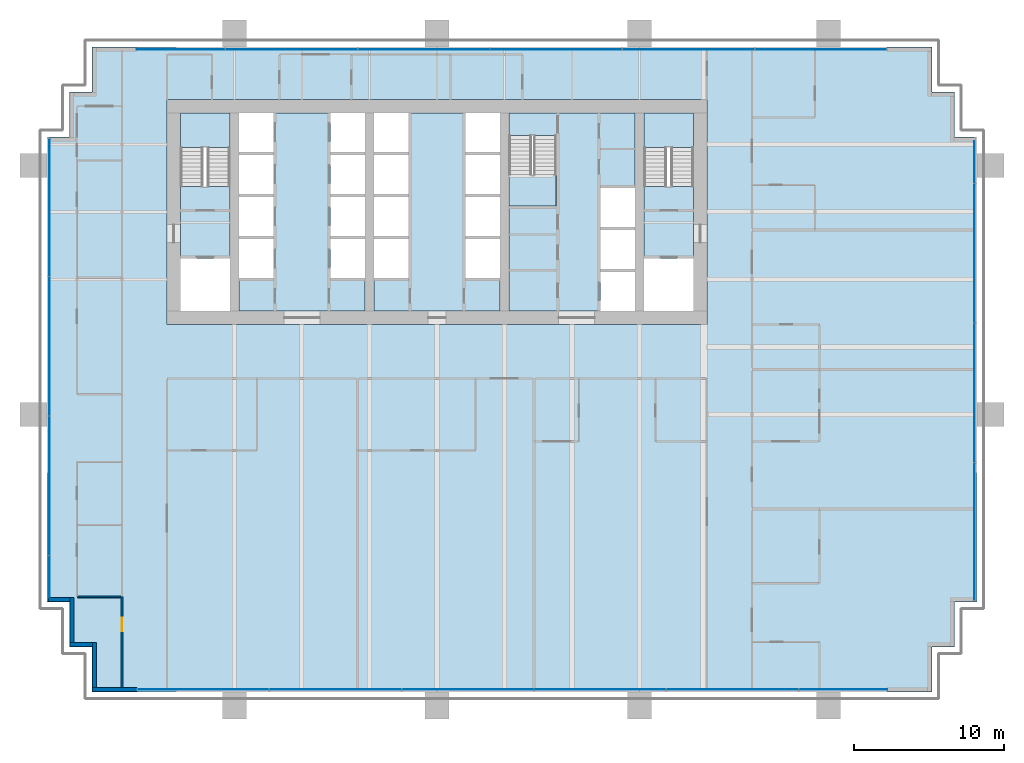
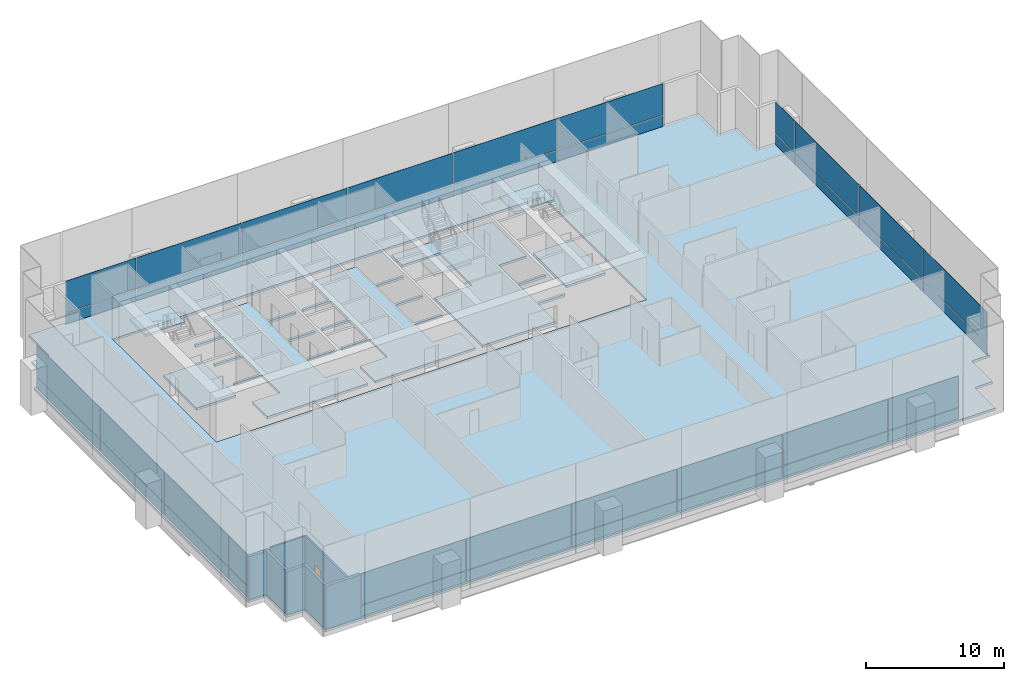
# One storey, part 11 of 19: 40 plates, 9 slabs, 7 walls, 1 door, 1 opening, 7 elements without a shape of their own.
"""IFC4 building model written with IfcOpenShell, lengths in metres."""

from ifc_helpers import new_model, si_unit, direction, frame, frame_2d, origin, origin_2d, place, context, subcontext, project, spatial, polyline, rectangle, outline, extrude, material, layer, layer_set, type_object, element, fill, aggregate, save


model = new_model("IFC4")

# Units and contexts
model_context = context("Model", 3, precision=1e-05, world=origin(), true_north=direction((0.0, 1.0)))
body_context = subcontext(model_context, "Body", "Model", "MODEL_VIEW")
ifc_project = project(units=[si_unit("LENGTHUNIT", "METRE"), si_unit("AREAUNIT", "SQUARE_METRE"), si_unit("VOLUMEUNIT", "CUBIC_METRE"), si_unit("PLANEANGLEUNIT", "RADIAN"), si_unit("MASSUNIT", "GRAM", prefix="KILO")], contexts=[model_context])

# Site, building, storey
site_placement = place(None, origin())
site = spatial("IfcSite", under=ifc_project, at=site_placement, CompositionType="ELEMENT")
building_placement = place(site_placement, origin())
building = spatial("IfcBuilding", under=site, at=building_placement, Name="Rattan Terrace Tower", CompositionType="ELEMENT")
storey_placement = place(building_placement, frame((0.0, 0.0, 103.699951171875)))
storey = spatial("IfcBuildingStorey", under=building, at=storey_placement, Name="L23", CompositionType="ELEMENT", Elevation=103.699951171875)

# Stair, slab
ifc_material_1 = material(Name="Concrete C40/50", Category="concrete")
stair_type = type_object("IfcStairType", Name="Core exit stair 1500", PredefinedType="HALF_TURN_STAIR", material=ifc_material_1)
stair_1_placement = place(storey_placement, origin())
stair_1 = element("IfcStair", 1, at=stair_1_placement, inside=storey, type_object=stair_type, Name="L23 exit stair 1", PredefinedType="HALF_TURN_STAIR")
ifc_material_2 = material(Name="Concrete C40/50", Category="concrete")
ifc_layer_1 = layer(ifc_material_2, 0.199951171875)
ifc_layer_set_1 = layer_set([ifc_layer_1], Name="Core exit stair landing")
slab_type_1 = type_object("IfcSlabType", Name="Core exit stair landing", PredefinedType="LANDING", material=ifc_layer_set_1)
slab_1_placement = place(storey_placement, frame((0.0, 0.0, 1.800048828125)))
slab_1 = element("IfcSlab", 2, at=slab_1_placement, type_object=slab_type_1, Name="S1 landing 1", PredefinedType="LANDING", context=body_context, shape_type="SweptSolid", body=[
    extrude(outline(polyline([(-13.800048828125, 4.300048828125), (-13.800048828125, 6.60009765625), (-17.10009765625, 6.60009765625), (-17.10009765625, 4.300048828125), (-13.800048828125, 4.300048828125)])), origin(), (0.0, 0.0, 1.0), 0.199951171875),
])
aggregate(stair_1, [slab_1])

stair_2_placement = place(storey_placement, origin())
stair_2 = element("IfcStair", 3, at=stair_2_placement, inside=storey, type_object=stair_type, Name="L23 exit stair 2", PredefinedType="HALF_TURN_STAIR")
slab_2_placement = place(storey_placement, frame((0.0, 0.0, 1.800048828125)))
slab_2 = element("IfcSlab", 4, at=slab_2_placement, type_object=slab_type_1, Name="S2 landing 1", PredefinedType="LANDING", context=body_context, shape_type="SweptSolid", body=[
    extrude(outline(polyline([(17.10009765625, 4.300048828125), (17.10009765625, 6.60009765625), (13.800048828125, 6.60009765625), (13.800048828125, 4.300048828125), (17.10009765625, 4.300048828125)])), origin(), (0.0, 0.0, 1.0), 0.199951171875),
])
aggregate(stair_2, [slab_2])

stair_3_placement = place(storey_placement, origin())
stair_3 = element("IfcStair", 5, at=stair_3_placement, inside=storey, type_object=stair_type, Name="L23 exit stair 3", PredefinedType="HALF_TURN_STAIR")
slab_3_placement = place(storey_placement, frame((0.0, 0.0, 1.800048828125)))
slab_3 = element("IfcSlab", 6, at=slab_3_placement, type_object=slab_type_1, Name="S3 landing 1", PredefinedType="LANDING", context=body_context, shape_type="SweptSolid", body=[
    extrude(outline(polyline([(4.800048828125, 2.5), (4.800048828125, 0.39990234375), (7.949951171875, 0.39990234375), (7.949951171875, 2.5), (4.800048828125, 2.5)])), origin(), (0.0, 0.0, 1.0), 0.199951171875),
])
aggregate(stair_3, [slab_3])

# Curtain wall, plates
ifc_material_3 = material(Name="Aluminium and glass", Category="aluminium")
curtain_wall_type = type_object("IfcCurtainWallType", Name="Facade Unitised Curtain Wall", PredefinedType="NOTDEFINED", material=ifc_material_3)
curtain_wall_1_placement = place(storey_placement, origin())
curtain_wall_1 = element("IfcCurtainWall", 7, at=curtain_wall_1_placement, inside=storey, type_object=curtain_wall_type, Name="Curtain wall L23-1", PredefinedType="NOTDEFINED")
ifc_material_4 = material(Name="Aluminium insulated spandrel panel", Category="aluminium")
ifc_layer_2 = layer(ifc_material_4, 0.028076171875)
ifc_layer_set_2 = layer_set([ifc_layer_2], Name="Facade CW Spandrel Panel")
plate_type_1 = type_object("IfcPlateType", Name="Facade CW Spandrel Panel", PredefinedType="CURTAIN_PANEL", material=ifc_layer_set_2)
plate_1_placement = place(storey_placement, frame((35.830078125, -21.3125, 0.0), z_axis=(0.0, 0.0, 1.0), x_axis=(0.0, 1.0, 0.0)))
plate_1 = element("IfcPlate", 8, at=plate_1_placement, type_object=plate_type_1, Name="Panel cwl-L23-001.1.1", PredefinedType="CURTAIN_PANEL", context=body_context, shape_type="SweptSolid", body=[
    extrude(rectangle(XDim=9.1650390625, YDim=0.028076171875, at=origin_2d()), origin(), (0.0, 0.0, 1.0), 0.969970703125),
])
plate_2_placement = place(storey_placement, frame((35.830078125, -12.050048828125, 0.0), z_axis=(0.0, 0.0, 1.0), x_axis=(0.0, 1.0, 0.0)))
plate_2 = element("IfcPlate", 9, at=plate_2_placement, type_object=plate_type_1, Name="Panel cwl-L23-001.2.1", PredefinedType="CURTAIN_PANEL", context=body_context, shape_type="SweptSolid", body=[
    extrude(rectangle(XDim=9.239990234375, YDim=0.028076171875, at=origin_2d()), origin(), (0.0, 0.0, 1.0), 0.969970703125),
])
plate_3_placement = place(storey_placement, frame((35.830078125, -2.75, 0.0), z_axis=(0.0, 0.0, 1.0), x_axis=(0.0, 1.0, 0.0)))
plate_3 = element("IfcPlate", 10, at=plate_3_placement, type_object=plate_type_1, Name="Panel cwl-L23-001.3.1", PredefinedType="CURTAIN_PANEL", context=body_context, shape_type="SweptSolid", body=[
    extrude(rectangle(XDim=9.239990234375, YDim=0.028076171875, at=origin_2d()), origin(), (0.0, 0.0, 1.0), 0.969970703125),
])
plate_4_placement = place(storey_placement, frame((35.830078125, 3.3173828125, 0.0), z_axis=(0.0, 0.0, 1.0), x_axis=(0.0, 1.0, 0.0)))
plate_4 = element("IfcPlate", 11, at=plate_4_placement, type_object=plate_type_1, Name="Panel cwl-L23-001.4.1", PredefinedType="CURTAIN_PANEL", context=body_context, shape_type="SweptSolid", body=[
    extrude(rectangle(XDim=2.77490234375, YDim=0.028076171875, at=origin_2d()), origin(), (0.0, 0.0, 1.0), 0.969970703125),
])

curtain_wall_2_placement = place(storey_placement, origin())
curtain_wall_2 = element("IfcCurtainWall", 12, at=curtain_wall_2_placement, inside=storey, type_object=curtain_wall_type, Name="Curtain wall L23-2", PredefinedType="NOTDEFINED")
plate_5_placement = place(storey_placement, frame((25.573486328125, 10.830078125, 0.0), z_axis=(0.0, 0.0, 1.0), x_axis=(-1.0, 0.0, 0.0)))
plate_5 = element("IfcPlate", 13, at=plate_5_placement, type_object=plate_type_1, Name="Panel cwl-L23-002.1.1", PredefinedType="CURTAIN_PANEL", context=body_context, shape_type="SweptSolid", body=[
    extrude(rectangle(XDim=8.73291015625, YDim=0.028076171875, at=origin_2d()), origin(), (0.0, 0.0, 1.0), 0.969970703125),
])
plate_6_placement = place(storey_placement, frame((16.765380859375, 10.830078125, 0.0), z_axis=(0.0, 0.0, 1.0), x_axis=(-1.0, 0.0, 0.0)))
plate_6 = element("IfcPlate", 14, at=plate_6_placement, type_object=plate_type_1, Name="Panel cwl-L23-002.2.1", PredefinedType="CURTAIN_PANEL", context=body_context, shape_type="SweptSolid", body=[
    extrude(rectangle(XDim=8.762939453125, YDim=0.028076171875, at=origin_2d()), origin(), (0.0, 0.0, 1.0), 0.969970703125),
])
plate_7_placement = place(storey_placement, frame((7.9423828125, 10.830078125, 0.0), z_axis=(0.0, 0.0, 1.0), x_axis=(-1.0, 0.0, 0.0)))
plate_7 = element("IfcPlate", 15, at=plate_7_placement, type_object=plate_type_1, Name="Panel cwl-L23-002.3.1", PredefinedType="CURTAIN_PANEL", context=body_context, shape_type="SweptSolid", body=[
    extrude(rectangle(XDim=8.762939453125, YDim=0.028076171875, at=origin_2d()), origin(), (0.0, 0.0, 1.0), 0.969970703125),
])
plate_8_placement = place(storey_placement, frame((-0.880615234375, 10.830078125, 0.0), z_axis=(0.0, 0.0, 1.0), x_axis=(-1.0, 0.0, 0.0)))
plate_8 = element("IfcPlate", 16, at=plate_8_placement, type_object=plate_type_1, Name="Panel cwl-L23-002.4.1", PredefinedType="CURTAIN_PANEL", context=body_context, shape_type="SweptSolid", body=[
    extrude(rectangle(XDim=8.762939453125, YDim=0.028076171875, at=origin_2d()), origin(), (0.0, 0.0, 1.0), 0.969970703125),
])
plate_9_placement = place(storey_placement, frame((-9.70361328125, 10.830078125, 0.0), z_axis=(0.0, 0.0, 1.0), x_axis=(-1.0, 0.0, 0.0)))
plate_9 = element("IfcPlate", 17, at=plate_9_placement, type_object=plate_type_1, Name="Panel cwl-L23-002.5.1", PredefinedType="CURTAIN_PANEL", context=body_context, shape_type="SweptSolid", body=[
    extrude(rectangle(XDim=8.762939453125, YDim=0.028076171875, at=origin_2d()), origin(), (0.0, 0.0, 1.0), 0.969970703125),
])
plate_10_placement = place(storey_placement, frame((-17.072509765625, 10.830078125, 0.0), z_axis=(0.0, 0.0, 1.0), x_axis=(-1.0, 0.0, 0.0)))
plate_10 = element("IfcPlate", 18, at=plate_10_placement, type_object=plate_type_1, Name="Panel cwl-L23-002.6.1", PredefinedType="CURTAIN_PANEL", context=body_context, shape_type="SweptSolid", body=[
    extrude(rectangle(XDim=5.85498046875, YDim=0.028076171875, at=origin_2d()), origin(), (0.0, 0.0, 1.0), 0.969970703125),
])

curtain_wall_3_placement = place(storey_placement, origin())
curtain_wall_3 = element("IfcCurtainWall", 19, at=curtain_wall_3_placement, inside=storey, type_object=curtain_wall_type, Name="Curtain wall L23-3", PredefinedType="NOTDEFINED")
plate_11_placement = place(storey_placement, frame((-25.830078125, 0.3125, 0.0), z_axis=(0.0, 0.0, 1.0), x_axis=(0.0, -1.0, 0.0)))
plate_11 = element("IfcPlate", 20, at=plate_11_placement, type_object=plate_type_1, Name="Panel cwl-L23-003.1.1", PredefinedType="CURTAIN_PANEL", context=body_context, shape_type="SweptSolid", body=[
    extrude(rectangle(XDim=9.1650390625, YDim=0.028076171875, at=origin_2d()), origin(), (0.0, 0.0, 1.0), 0.969970703125),
])
plate_12_placement = place(storey_placement, frame((-25.830078125, -8.949951171875, 0.0), z_axis=(0.0, 0.0, 1.0), x_axis=(0.0, -1.0, 0.0)))
plate_12 = element("IfcPlate", 21, at=plate_12_placement, type_object=plate_type_1, Name="Panel cwl-L23-003.2.1", PredefinedType="CURTAIN_PANEL", context=body_context, shape_type="SweptSolid", body=[
    extrude(rectangle(XDim=9.239990234375, YDim=0.028076171875, at=origin_2d()), origin(), (0.0, 0.0, 1.0), 0.969970703125),
])
plate_13_placement = place(storey_placement, frame((-25.830078125, -18.25, 0.0), z_axis=(0.0, 0.0, 1.0), x_axis=(0.0, -1.0, 0.0)))
plate_13 = element("IfcPlate", 22, at=plate_13_placement, type_object=plate_type_1, Name="Panel cwl-L23-003.3.1", PredefinedType="CURTAIN_PANEL", context=body_context, shape_type="SweptSolid", body=[
    extrude(rectangle(XDim=9.239990234375, YDim=0.028076171875, at=origin_2d()), origin(), (0.0, 0.0, 1.0), 0.969970703125),
])
plate_14_placement = place(storey_placement, frame((-25.830078125, -24.3173828125, 0.0), z_axis=(0.0, 0.0, 1.0), x_axis=(0.0, -1.0, 0.0)))
plate_14 = element("IfcPlate", 23, at=plate_14_placement, type_object=plate_type_1, Name="Panel cwl-L23-003.4.1", PredefinedType="CURTAIN_PANEL", context=body_context, shape_type="SweptSolid", body=[
    extrude(rectangle(XDim=2.77490234375, YDim=0.028076171875, at=origin_2d()), origin(), (0.0, 0.0, 1.0), 0.969970703125),
])

curtain_wall_4_placement = place(storey_placement, origin())
curtain_wall_4 = element("IfcCurtainWall", 24, at=curtain_wall_4_placement, inside=storey, type_object=curtain_wall_type, Name="Curtain wall L23-4", PredefinedType="NOTDEFINED")
plate_15_placement = place(storey_placement, frame((-15.573486328125, -31.830078125, 0.0), z_axis=(0.0, 0.0, 1.0), x_axis=(1.0, 0.0, 0.0)))
plate_15 = element("IfcPlate", 25, at=plate_15_placement, type_object=plate_type_1, Name="Panel cwl-L23-004.1.1", PredefinedType="CURTAIN_PANEL", context=body_context, shape_type="SweptSolid", body=[
    extrude(rectangle(XDim=8.73291015625, YDim=0.028076171875, at=origin_2d()), origin(), (0.0, 0.0, 1.0), 0.969970703125),
])
plate_16_placement = place(storey_placement, frame((-6.765380859375, -31.830078125, 0.0), z_axis=(0.0, 0.0, 1.0), x_axis=(1.0, 0.0, 0.0)))
plate_16 = element("IfcPlate", 26, at=plate_16_placement, type_object=plate_type_1, Name="Panel cwl-L23-004.2.1", PredefinedType="CURTAIN_PANEL", context=body_context, shape_type="SweptSolid", body=[
    extrude(rectangle(XDim=8.762939453125, YDim=0.028076171875, at=origin_2d()), origin(), (0.0, 0.0, 1.0), 0.969970703125),
])
plate_17_placement = place(storey_placement, frame((2.0576171875, -31.830078125, 0.0), z_axis=(0.0, 0.0, 1.0), x_axis=(1.0, 0.0, 0.0)))
plate_17 = element("IfcPlate", 27, at=plate_17_placement, type_object=plate_type_1, Name="Panel cwl-L23-004.3.1", PredefinedType="CURTAIN_PANEL", context=body_context, shape_type="SweptSolid", body=[
    extrude(rectangle(XDim=8.762939453125, YDim=0.028076171875, at=origin_2d()), origin(), (0.0, 0.0, 1.0), 0.969970703125),
])
plate_18_placement = place(storey_placement, frame((10.880615234375, -31.830078125, 0.0), z_axis=(0.0, 0.0, 1.0), x_axis=(1.0, 0.0, 0.0)))
plate_18 = element("IfcPlate", 28, at=plate_18_placement, type_object=plate_type_1, Name="Panel cwl-L23-004.4.1", PredefinedType="CURTAIN_PANEL", context=body_context, shape_type="SweptSolid", body=[
    extrude(rectangle(XDim=8.762939453125, YDim=0.028076171875, at=origin_2d()), origin(), (0.0, 0.0, 1.0), 0.969970703125),
])
plate_19_placement = place(storey_placement, frame((19.70361328125, -31.830078125, 0.0), z_axis=(0.0, 0.0, 1.0), x_axis=(1.0, 0.0, 0.0)))
plate_19 = element("IfcPlate", 29, at=plate_19_placement, type_object=plate_type_1, Name="Panel cwl-L23-004.5.1", PredefinedType="CURTAIN_PANEL", context=body_context, shape_type="SweptSolid", body=[
    extrude(rectangle(XDim=8.762939453125, YDim=0.028076171875, at=origin_2d()), origin(), (0.0, 0.0, 1.0), 0.969970703125),
])
plate_20_placement = place(storey_placement, frame((27.072509765625, -31.830078125, 0.0), z_axis=(0.0, 0.0, 1.0), x_axis=(1.0, 0.0, 0.0)))
plate_20 = element("IfcPlate", 30, at=plate_20_placement, type_object=plate_type_1, Name="Panel cwl-L23-004.6.1", PredefinedType="CURTAIN_PANEL", context=body_context, shape_type="SweptSolid", body=[
    extrude(rectangle(XDim=5.85498046875, YDim=0.028076171875, at=origin_2d()), origin(), (0.0, 0.0, 1.0), 0.969970703125),
])

# Plate
ifc_material_5 = material(Name="Clear low-iron glass", Category="glass")
ifc_layer_3 = layer(ifc_material_5, 0.028076171875)
ifc_layer_set_3 = layer_set([ifc_layer_3], Name="Facade CW Vision Panel")
plate_type_2 = type_object("IfcPlateType", Name="Facade CW Vision Panel", PredefinedType="CURTAIN_PANEL", material=ifc_layer_set_3)
plate_21_placement = place(storey_placement, frame((35.830078125, -21.3125, 1.030029296875), z_axis=(0.0, 0.0, 1.0), x_axis=(0.0, 1.0, 0.0)))
plate_21 = element("IfcPlate", 31, at=plate_21_placement, type_object=plate_type_2, Name="Panel cwl-L23-001.1.2", PredefinedType="CURTAIN_PANEL", context=body_context, shape_type="SweptSolid", body=[
    extrude(rectangle(XDim=9.1650390625, YDim=0.028076171875, at=origin_2d()), origin(), (0.0, 0.0, 1.0), 2.77001953125),
])

plate_22_placement = place(storey_placement, frame((35.830078125, -12.050048828125, 1.030029296875), z_axis=(0.0, 0.0, 1.0), x_axis=(0.0, 1.0, 0.0)))
plate_22 = element("IfcPlate", 32, at=plate_22_placement, type_object=plate_type_2, Name="Panel cwl-L23-001.2.2", PredefinedType="CURTAIN_PANEL", context=body_context, shape_type="SweptSolid", body=[
    extrude(rectangle(XDim=9.239990234375, YDim=0.028076171875, at=origin_2d()), origin(), (0.0, 0.0, 1.0), 2.77001953125),
])

plate_23_placement = place(storey_placement, frame((35.830078125, -2.75, 1.030029296875), z_axis=(0.0, 0.0, 1.0), x_axis=(0.0, 1.0, 0.0)))
plate_23 = element("IfcPlate", 33, at=plate_23_placement, type_object=plate_type_2, Name="Panel cwl-L23-001.3.2", PredefinedType="CURTAIN_PANEL", context=body_context, shape_type="SweptSolid", body=[
    extrude(rectangle(XDim=9.239990234375, YDim=0.028076171875, at=origin_2d()), origin(), (0.0, 0.0, 1.0), 2.77001953125),
])

plate_24_placement = place(storey_placement, frame((35.830078125, 3.3173828125, 1.030029296875), z_axis=(0.0, 0.0, 1.0), x_axis=(0.0, 1.0, 0.0)))
plate_24 = element("IfcPlate", 34, at=plate_24_placement, type_object=plate_type_2, Name="Panel cwl-L23-001.4.2", PredefinedType="CURTAIN_PANEL", context=body_context, shape_type="SweptSolid", body=[
    extrude(rectangle(XDim=2.77490234375, YDim=0.028076171875, at=origin_2d()), origin(), (0.0, 0.0, 1.0), 2.77001953125),
])

aggregate(curtain_wall_1, [plate_1, plate_21, plate_2, plate_22, plate_3, plate_23, plate_4, plate_24])

plate_25_placement = place(storey_placement, frame((25.573486328125, 10.830078125, 1.030029296875), z_axis=(0.0, 0.0, 1.0), x_axis=(-1.0, 0.0, 0.0)))
plate_25 = element("IfcPlate", 35, at=plate_25_placement, type_object=plate_type_2, Name="Panel cwl-L23-002.1.2", PredefinedType="CURTAIN_PANEL", context=body_context, shape_type="SweptSolid", body=[
    extrude(rectangle(XDim=8.73291015625, YDim=0.028076171875, at=origin_2d()), origin(), (0.0, 0.0, 1.0), 2.77001953125),
])

plate_26_placement = place(storey_placement, frame((16.765380859375, 10.830078125, 1.030029296875), z_axis=(0.0, 0.0, 1.0), x_axis=(-1.0, 0.0, 0.0)))
plate_26 = element("IfcPlate", 36, at=plate_26_placement, type_object=plate_type_2, Name="Panel cwl-L23-002.2.2", PredefinedType="CURTAIN_PANEL", context=body_context, shape_type="SweptSolid", body=[
    extrude(rectangle(XDim=8.762939453125, YDim=0.028076171875, at=origin_2d()), origin(), (0.0, 0.0, 1.0), 2.77001953125),
])

plate_27_placement = place(storey_placement, frame((7.9423828125, 10.830078125, 1.030029296875), z_axis=(0.0, 0.0, 1.0), x_axis=(-1.0, 0.0, 0.0)))
plate_27 = element("IfcPlate", 37, at=plate_27_placement, type_object=plate_type_2, Name="Panel cwl-L23-002.3.2", PredefinedType="CURTAIN_PANEL", context=body_context, shape_type="SweptSolid", body=[
    extrude(rectangle(XDim=8.762939453125, YDim=0.028076171875, at=origin_2d()), origin(), (0.0, 0.0, 1.0), 2.77001953125),
])

plate_28_placement = place(storey_placement, frame((-0.880615234375, 10.830078125, 1.030029296875), z_axis=(0.0, 0.0, 1.0), x_axis=(-1.0, 0.0, 0.0)))
plate_28 = element("IfcPlate", 38, at=plate_28_placement, type_object=plate_type_2, Name="Panel cwl-L23-002.4.2", PredefinedType="CURTAIN_PANEL", context=body_context, shape_type="SweptSolid", body=[
    extrude(rectangle(XDim=8.762939453125, YDim=0.028076171875, at=origin_2d()), origin(), (0.0, 0.0, 1.0), 2.77001953125),
])

plate_29_placement = place(storey_placement, frame((-9.70361328125, 10.830078125, 1.030029296875), z_axis=(0.0, 0.0, 1.0), x_axis=(-1.0, 0.0, 0.0)))
plate_29 = element("IfcPlate", 39, at=plate_29_placement, type_object=plate_type_2, Name="Panel cwl-L23-002.5.2", PredefinedType="CURTAIN_PANEL", context=body_context, shape_type="SweptSolid", body=[
    extrude(rectangle(XDim=8.762939453125, YDim=0.028076171875, at=origin_2d()), origin(), (0.0, 0.0, 1.0), 2.77001953125),
])

plate_30_placement = place(storey_placement, frame((-17.072509765625, 10.830078125, 1.030029296875), z_axis=(0.0, 0.0, 1.0), x_axis=(-1.0, 0.0, 0.0)))
plate_30 = element("IfcPlate", 40, at=plate_30_placement, type_object=plate_type_2, Name="Panel cwl-L23-002.6.2", PredefinedType="CURTAIN_PANEL", context=body_context, shape_type="SweptSolid", body=[
    extrude(rectangle(XDim=5.85498046875, YDim=0.028076171875, at=origin_2d()), origin(), (0.0, 0.0, 1.0), 2.77001953125),
])

aggregate(curtain_wall_2, [plate_5, plate_25, plate_6, plate_26, plate_7, plate_27, plate_8, plate_28, plate_9, plate_29, plate_10, plate_30])

plate_31_placement = place(storey_placement, frame((-25.830078125, 0.3125, 1.030029296875), z_axis=(0.0, 0.0, 1.0), x_axis=(0.0, -1.0, 0.0)))
plate_31 = element("IfcPlate", 41, at=plate_31_placement, type_object=plate_type_2, Name="Panel cwl-L23-003.1.2", PredefinedType="CURTAIN_PANEL", context=body_context, shape_type="SweptSolid", body=[
    extrude(rectangle(XDim=9.1650390625, YDim=0.028076171875, at=origin_2d()), origin(), (0.0, 0.0, 1.0), 2.77001953125),
])

plate_32_placement = place(storey_placement, frame((-25.830078125, -8.949951171875, 1.030029296875), z_axis=(0.0, 0.0, 1.0), x_axis=(0.0, -1.0, 0.0)))
plate_32 = element("IfcPlate", 42, at=plate_32_placement, type_object=plate_type_2, Name="Panel cwl-L23-003.2.2", PredefinedType="CURTAIN_PANEL", context=body_context, shape_type="SweptSolid", body=[
    extrude(rectangle(XDim=9.239990234375, YDim=0.028076171875, at=origin_2d()), origin(), (0.0, 0.0, 1.0), 2.77001953125),
])

plate_33_placement = place(storey_placement, frame((-25.830078125, -18.25, 1.030029296875), z_axis=(0.0, 0.0, 1.0), x_axis=(0.0, -1.0, 0.0)))
plate_33 = element("IfcPlate", 43, at=plate_33_placement, type_object=plate_type_2, Name="Panel cwl-L23-003.3.2", PredefinedType="CURTAIN_PANEL", context=body_context, shape_type="SweptSolid", body=[
    extrude(rectangle(XDim=9.239990234375, YDim=0.028076171875, at=origin_2d()), origin(), (0.0, 0.0, 1.0), 2.77001953125),
])

plate_34_placement = place(storey_placement, frame((-25.830078125, -24.3173828125, 1.030029296875), z_axis=(0.0, 0.0, 1.0), x_axis=(0.0, -1.0, 0.0)))
plate_34 = element("IfcPlate", 44, at=plate_34_placement, type_object=plate_type_2, Name="Panel cwl-L23-003.4.2", PredefinedType="CURTAIN_PANEL", context=body_context, shape_type="SweptSolid", body=[
    extrude(rectangle(XDim=2.77490234375, YDim=0.028076171875, at=origin_2d()), origin(), (0.0, 0.0, 1.0), 2.77001953125),
])

aggregate(curtain_wall_3, [plate_11, plate_31, plate_12, plate_32, plate_13, plate_33, plate_14, plate_34])

plate_35_placement = place(storey_placement, frame((-15.573486328125, -31.830078125, 1.030029296875), z_axis=(0.0, 0.0, 1.0), x_axis=(1.0, 0.0, 0.0)))
plate_35 = element("IfcPlate", 45, at=plate_35_placement, type_object=plate_type_2, Name="Panel cwl-L23-004.1.2", PredefinedType="CURTAIN_PANEL", context=body_context, shape_type="SweptSolid", body=[
    extrude(rectangle(XDim=8.73291015625, YDim=0.028076171875, at=origin_2d()), origin(), (0.0, 0.0, 1.0), 2.77001953125),
])

plate_36_placement = place(storey_placement, frame((-6.765380859375, -31.830078125, 1.030029296875), z_axis=(0.0, 0.0, 1.0), x_axis=(1.0, 0.0, 0.0)))
plate_36 = element("IfcPlate", 46, at=plate_36_placement, type_object=plate_type_2, Name="Panel cwl-L23-004.2.2", PredefinedType="CURTAIN_PANEL", context=body_context, shape_type="SweptSolid", body=[
    extrude(rectangle(XDim=8.762939453125, YDim=0.028076171875, at=origin_2d()), origin(), (0.0, 0.0, 1.0), 2.77001953125),
])

plate_37_placement = place(storey_placement, frame((2.0576171875, -31.830078125, 1.030029296875), z_axis=(0.0, 0.0, 1.0), x_axis=(1.0, 0.0, 0.0)))
plate_37 = element("IfcPlate", 47, at=plate_37_placement, type_object=plate_type_2, Name="Panel cwl-L23-004.3.2", PredefinedType="CURTAIN_PANEL", context=body_context, shape_type="SweptSolid", body=[
    extrude(rectangle(XDim=8.762939453125, YDim=0.028076171875, at=origin_2d()), origin(), (0.0, 0.0, 1.0), 2.77001953125),
])

plate_38_placement = place(storey_placement, frame((10.880615234375, -31.830078125, 1.030029296875), z_axis=(0.0, 0.0, 1.0), x_axis=(1.0, 0.0, 0.0)))
plate_38 = element("IfcPlate", 48, at=plate_38_placement, type_object=plate_type_2, Name="Panel cwl-L23-004.4.2", PredefinedType="CURTAIN_PANEL", context=body_context, shape_type="SweptSolid", body=[
    extrude(rectangle(XDim=8.762939453125, YDim=0.028076171875, at=origin_2d()), origin(), (0.0, 0.0, 1.0), 2.77001953125),
])

plate_39_placement = place(storey_placement, frame((19.70361328125, -31.830078125, 1.030029296875), z_axis=(0.0, 0.0, 1.0), x_axis=(1.0, 0.0, 0.0)))
plate_39 = element("IfcPlate", 49, at=plate_39_placement, type_object=plate_type_2, Name="Panel cwl-L23-004.5.2", PredefinedType="CURTAIN_PANEL", context=body_context, shape_type="SweptSolid", body=[
    extrude(rectangle(XDim=8.762939453125, YDim=0.028076171875, at=origin_2d()), origin(), (0.0, 0.0, 1.0), 2.77001953125),
])

plate_40_placement = place(storey_placement, frame((27.072509765625, -31.830078125, 1.030029296875), z_axis=(0.0, 0.0, 1.0), x_axis=(1.0, 0.0, 0.0)))
plate_40 = element("IfcPlate", 50, at=plate_40_placement, type_object=plate_type_2, Name="Panel cwl-L23-004.6.2", PredefinedType="CURTAIN_PANEL", context=body_context, shape_type="SweptSolid", body=[
    extrude(rectangle(XDim=5.85498046875, YDim=0.028076171875, at=origin_2d()), origin(), (0.0, 0.0, 1.0), 2.77001953125),
])

aggregate(curtain_wall_4, [plate_15, plate_35, plate_16, plate_36, plate_17, plate_37, plate_18, plate_38, plate_19, plate_39, plate_20, plate_40])

# Slabs
ifc_material_6 = material(Name="Concrete C35/45", Category="concrete")
ifc_layer_4 = layer(ifc_material_6, 0.199951171875)
ifc_layer_set_4 = layer_set([ifc_layer_4], Name="Frame composite floor slab 200")
slab_type_2 = type_object("IfcSlabType", Name="Frame composite floor slab 200", PredefinedType="FLOOR", material=ifc_layer_set_4)
slab_4_placement = place(storey_placement, frame((0.0, 0.0, -0.199951171875)))
element("IfcSlab", 51, at=slab_4_placement, inside=storey, type_object=slab_type_2, Name="Floor slab", PredefinedType="FLOOR", context=body_context, shape_type="SweptSolid", body=[
    extrude(outline(polyline([(-20.0, -32.0), (30.0, -32.0), (33.0, -32.0), (33.0, -29.0), (34.5, -29.0), (34.5, -26.0), (36.0, -26.0), (36.0, 5.0), (34.5, 5.0), (34.5, 8.0), (33.0, 8.0), (33.0, 11.0), (30.0, 11.0), (-20.0, 11.0), (-23.0, 11.0), (-23.0, 8.0), (-24.5, 8.0), (-24.5, 5.0), (-26.0, 5.0), (-26.0, -26.0), (-24.5, -26.0), (-24.5, -29.0), (-23.0, -29.0), (-23.0, -32.0), (-20.0, -32.0)]), holes=[polyline([(-18.0, -6.60009765625), (-18.0, -7.5), (18.0, -7.5), (18.0, -6.60009765625), (18.0, 6.60009765625), (18.0, 7.5), (-18.0, 7.5), (-18.0, 6.60009765625), (-18.0, -6.60009765625)])]), origin(), (0.0, 0.0, 1.0), 0.199951171875),
])
slab_5_placement = place(storey_placement, frame((0.0, 0.0, -0.199951171875)))
element("IfcSlab", 52, at=slab_5_placement, inside=storey, type_object=slab_type_2, Name="Floor slab", PredefinedType="FLOOR", context=body_context, shape_type="SweptSolid", body=[
    extrude(outline(polyline([(-10.89990234375, 6.60009765625), (-10.89990234375, 4.0), (-13.199951171875, 4.0), (-13.199951171875, 3.800048828125), (-10.89990234375, 3.800048828125), (-10.89990234375, 1.199951171875), (-13.199951171875, 1.199951171875), (-13.199951171875, 1.0), (-10.89990234375, 1.0), (-10.89990234375, -1.60009765625), (-13.199951171875, -1.60009765625), (-13.199951171875, -1.800048828125), (-10.89990234375, -1.800048828125), (-10.89990234375, -4.39990234375), (-13.199951171875, -4.39990234375), (-13.199951171875, -6.60009765625), (-4.800048828125, -6.60009765625), (-4.800048828125, -4.39990234375), (-7.10009765625, -4.39990234375), (-7.10009765625, -1.800048828125), (-4.800048828125, -1.800048828125), (-4.800048828125, -1.60009765625), (-7.10009765625, -1.60009765625), (-7.10009765625, 1.0), (-4.800048828125, 1.0), (-4.800048828125, 1.199951171875), (-7.10009765625, 1.199951171875), (-7.10009765625, 3.800048828125), (-4.800048828125, 3.800048828125), (-4.800048828125, 4.0), (-7.10009765625, 4.0), (-7.10009765625, 6.60009765625), (-10.89990234375, 6.60009765625)])), origin(), (0.0, 0.0, 1.0), 0.199951171875),
])
slab_6_placement = place(storey_placement, frame((0.0, 0.0, -0.199951171875)))
element("IfcSlab", 53, at=slab_6_placement, inside=storey, type_object=slab_type_2, Name="Floor slab", PredefinedType="FLOOR", context=body_context, shape_type="SweptSolid", body=[
    extrude(outline(polyline([(-17.10009765625, -3.10009765625), (-13.800048828125, -3.10009765625), (-13.800048828125, 1.7099609375), (-17.10009765625, 1.7099609375), (-17.10009765625, -3.10009765625)])), origin(), (0.0, 0.0, 1.0), 0.199951171875),
])
slab_7_placement = place(storey_placement, frame((0.0, 0.0, -0.199951171875)))
element("IfcSlab", 54, at=slab_7_placement, inside=storey, type_object=slab_type_2, Name="Floor slab", PredefinedType="FLOOR", context=body_context, shape_type="SweptSolid", body=[
    extrude(outline(polyline([(-4.199951171875, 4.0), (-4.199951171875, 3.800048828125), (-1.89990234375, 3.800048828125), (-1.89990234375, 1.199951171875), (-4.199951171875, 1.199951171875), (-4.199951171875, 1.0), (-1.89990234375, 1.0), (-1.89990234375, -1.60009765625), (-4.199951171875, -1.60009765625), (-4.199951171875, -1.800048828125), (-1.89990234375, -1.800048828125), (-1.89990234375, -4.39990234375), (-4.199951171875, -4.39990234375), (-4.199951171875, -6.60009765625), (4.199951171875, -6.60009765625), (4.199951171875, -4.39990234375), (1.89990234375, -4.39990234375), (1.89990234375, -1.800048828125), (4.199951171875, -1.800048828125), (4.199951171875, -1.60009765625), (1.89990234375, -1.60009765625), (1.89990234375, 1.0), (4.199951171875, 1.0), (4.199951171875, 1.199951171875), (1.89990234375, 1.199951171875), (1.89990234375, 3.800048828125), (4.199951171875, 3.800048828125), (4.199951171875, 4.0), (1.89990234375, 4.0), (1.89990234375, 6.60009765625), (-1.89990234375, 6.60009765625), (-1.89990234375, 4.0), (-4.199951171875, 4.0)])), origin(), (0.0, 0.0, 1.0), 0.199951171875),
])
slab_8_placement = place(storey_placement, frame((0.0, 0.0, -0.199951171875)))
element("IfcSlab", 55, at=slab_8_placement, inside=storey, type_object=slab_type_2, Name="Floor slab", PredefinedType="FLOOR", context=body_context, shape_type="SweptSolid", body=[
    extrude(outline(polyline([(4.800048828125, 5.090087890625), (7.949951171875, 5.090087890625), (7.949951171875, 0.39990234375), (4.800048828125, 0.39990234375), (4.800048828125, -6.60009765625), (10.89990234375, -6.60009765625), (10.89990234375, -4.0), (13.199951171875, -4.0), (13.199951171875, -3.800048828125), (10.89990234375, -3.800048828125), (10.89990234375, -1.199951171875), (13.199951171875, -1.199951171875), (13.199951171875, -1.0), (10.89990234375, -1.0), (10.89990234375, 1.60009765625), (13.199951171875, 1.60009765625), (13.199951171875, 6.60009765625), (4.800048828125, 6.60009765625), (4.800048828125, 5.090087890625)])), origin(), (0.0, 0.0, 1.0), 0.199951171875),
])
slab_9_placement = place(storey_placement, frame((0.0, 0.0, -0.199951171875)))
element("IfcSlab", 56, at=slab_9_placement, inside=storey, type_object=slab_type_2, Name="Floor slab", PredefinedType="FLOOR", context=body_context, shape_type="SweptSolid", body=[
    extrude(outline(polyline([(13.800048828125, -3.10009765625), (17.10009765625, -3.10009765625), (17.10009765625, 1.7099609375), (13.800048828125, 1.7099609375), (13.800048828125, -3.10009765625)])), origin(), (0.0, 0.0, 1.0), 0.199951171875),
])

# Walls
ifc_material_7 = material(Name="Insulated aluminium-clad stud wall", Category="aluminium")
ifc_layer_5 = layer(ifc_material_7, 0.25)
ifc_layer_set_5 = layer_set([ifc_layer_5], Name="Facade Riser Wall 250")
wall_type_1 = type_object("IfcWallType", Name="Facade Riser Wall 250", PredefinedType="SOLIDWALL", material=ifc_layer_set_5)
wall_1_placement = place(storey_placement, frame((-25.909912109375, -25.830078125, 0.0), z_axis=(0.0, 0.0, 1.0), x_axis=(1.0, 0.0, 0.0)))
element("IfcWall", 57, at=wall_1_placement, inside=storey, type_object=wall_type_1, Name="Riser wall L23-16", PredefinedType="SOLIDWALL", context=body_context, shape_type="SweptSolid", body=[
    extrude(rectangle(XDim=1.454833984375, YDim=0.25, at=frame_2d((0.7275390625, 0.0))), origin(), (0.0, 0.0, 1.0), 3.800048828125),
])
wall_2_placement = place(storey_placement, frame((-24.330078125, -25.705078125, 0.0), z_axis=(0.0, 0.0, 1.0), x_axis=(0.0, -1.0, 0.0)))
element("IfcWall", 58, at=wall_2_placement, inside=storey, type_object=wall_type_1, Name="Riser wall L23-17", PredefinedType="SOLIDWALL", context=body_context, shape_type="SweptSolid", body=[
    extrude(rectangle(XDim=3.0, YDim=0.25, at=frame_2d((1.5, 0.0))), origin(), (0.0, 0.0, 1.0), 3.800048828125),
])
wall_3_placement = place(storey_placement, frame((-24.455078125, -28.830078125, 0.0), z_axis=(0.0, 0.0, 1.0), x_axis=(1.0, 0.0, 0.0)))
element("IfcWall", 59, at=wall_3_placement, inside=storey, type_object=wall_type_1, Name="Riser wall L23-18", PredefinedType="SOLIDWALL", context=body_context, shape_type="SweptSolid", body=[
    extrude(rectangle(XDim=1.5, YDim=0.25, at=frame_2d((0.75, 0.0))), origin(), (0.0, 0.0, 1.0), 3.800048828125),
])
wall_4_placement = place(storey_placement, frame((-22.830078125, -28.705078125, 0.0), z_axis=(0.0, 0.0, 1.0), x_axis=(0.0, -1.0, 0.0)))
element("IfcWall", 60, at=wall_4_placement, inside=storey, type_object=wall_type_1, Name="Riser wall L23-19", PredefinedType="SOLIDWALL", context=body_context, shape_type="SweptSolid", body=[
    extrude(rectangle(XDim=3.0, YDim=0.25, at=frame_2d((1.5, 0.0))), origin(), (0.0, 0.0, 1.0), 3.800048828125),
])
wall_5_placement = place(storey_placement, frame((-22.955078125, -31.830078125, 0.0), z_axis=(0.0, 0.0, 1.0), x_axis=(1.0, 0.0, 0.0)))
element("IfcWall", 61, at=wall_5_placement, inside=storey, type_object=wall_type_1, Name="Riser wall L23-20", PredefinedType="SOLIDWALL", context=body_context, shape_type="SweptSolid", body=[
    extrude(rectangle(XDim=2.955078125, YDim=0.25, at=frame_2d((1.4775390625, 0.0))), origin(), (0.0, 0.0, 1.0), 3.800048828125),
])
ifc_material_8 = material(Name="Gypsum board partition on steel studs", Category="steel")
ifc_layer_6 = layer(ifc_material_8, 0.10009765625)
ifc_layer_set_6 = layer_set([ifc_layer_6], Name="Floors Partition 100")
wall_type_2 = type_object("IfcWallType", Name="Floors Partition 100", PredefinedType="PARTITIONING", material=ifc_layer_set_6)
wall_6_placement = place(storey_placement, frame((-23.949951171875, -25.659912109375, 0.0), z_axis=(0.0, 0.0, 1.0), x_axis=(1.0, 0.0, 0.0)))
element("IfcWall", 62, at=wall_6_placement, inside=storey, type_object=wall_type_2, Name="pt-L23-033", PredefinedType="PARTITIONING", context=body_context, shape_type="SweptSolid", body=[
    extrude(rectangle(XDim=2.875, YDim=0.10009765625, at=frame_2d((1.4375, 0.0))), origin(), (0.0, 0.0, 1.0), 3.800048828125),
])

# Wall, opening, door
ifc_material_9 = material(Name="Gypsum board partition on steel studs, fire rated", Category="steel")
ifc_layer_7 = layer(ifc_material_9, 0.14990234375)
ifc_layer_set_7 = layer_set([ifc_layer_7], Name="Floors Tenancy Wall 150")
wall_type_3 = type_object("IfcWallType", Name="Floors Tenancy Wall 150", PredefinedType="PARTITIONING", material=ifc_layer_set_7)
wall_7_placement = place(storey_placement, frame((-21.0, -31.739990234375, 0.0), z_axis=(0.0, 0.0, 1.0), x_axis=(0.0, 1.0, 0.0)))
wall_7 = element("IfcWall", 63, at=wall_7_placement, inside=storey, type_object=wall_type_3, Name="pt-L23-002", PredefinedType="PARTITIONING", context=body_context, shape_type="SweptSolid", body=[
    extrude(rectangle(XDim=6.10009765625, YDim=0.14990234375, at=frame_2d((3.050048828125, 0.0))), origin(), (0.0, 0.0, 1.0), 3.800048828125),
])
opening_placement = place(wall_7_placement, frame((3.77490234375, 0.0, 0.0)))
opening = element("IfcOpeningElement", 64, at=opening_placement, cuts=wall_7, Name="Opening L23-D100", PredefinedType="OPENING", context=body_context, shape_type="SweptSolid", body=[
    extrude(rectangle(XDim=0.89990234375, YDim=2.10009765625, at=frame_2d((0.449951171875, 1.050048828125))), frame((0.0, 0.08544921875, 0.0), z_axis=(0.0, -1.0, 0.0), x_axis=(1.0, 0.0, 0.0)), (0.0, 0.0, 1.0), 0.1708984375),
])
ifc_material_10 = material(Name="Steel fire door set", Category="steel")
door_type = type_object("IfcDoorType", Name="Floors Fire Door FD30S 900x2100", OperationType="NOTDEFINED", PredefinedType="DOOR", material=ifc_material_10)
door_placement = place(opening_placement, origin())
door = element("IfcDoor", 65, at=door_placement, inside=storey, type_object=door_type, Name="d-L23-100", OperationType="SINGLE_SWING_RIGHT", OverallHeight=2.10009765625, OverallWidth=0.89990234375, PredefinedType="DOOR", context=body_context, shape_type="SweptSolid", body=[
    extrude(rectangle(XDim=0.89990234375, YDim=2.10009765625, at=frame_2d((0.449951171875, 1.050048828125))), frame((0.0, 0.02490234375, 0.0), z_axis=(0.0, -1.0, 0.0), x_axis=(1.0, 0.0, 0.0)), (0.0, 0.0, 1.0), 0.050048828125),
])
fill(opening, door)

save(model, "model.ifc")
